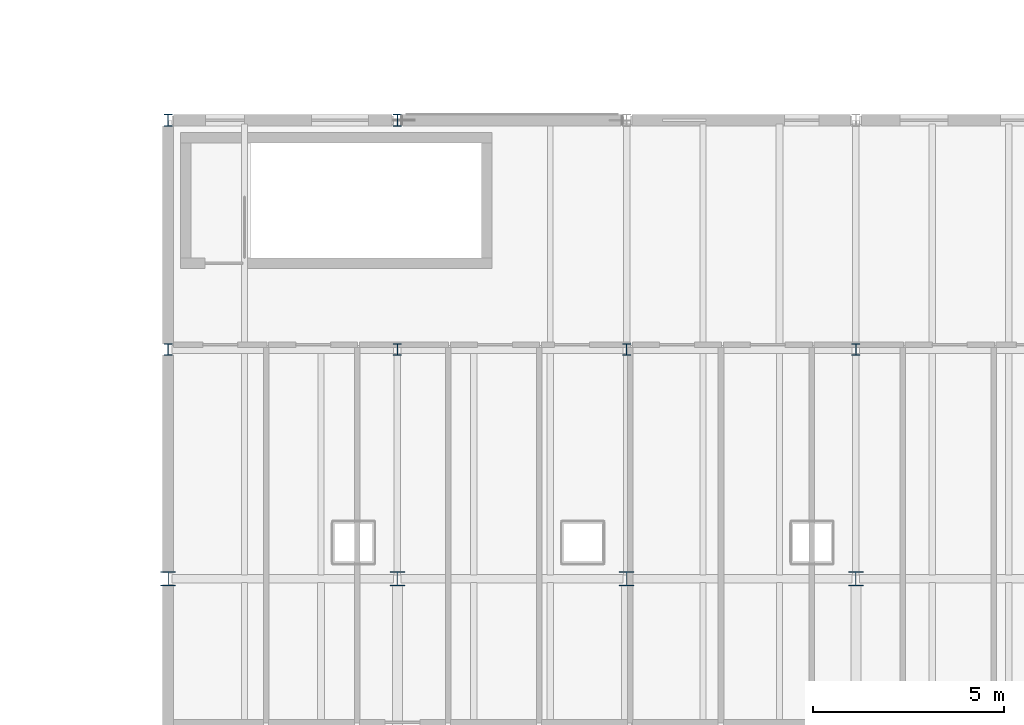
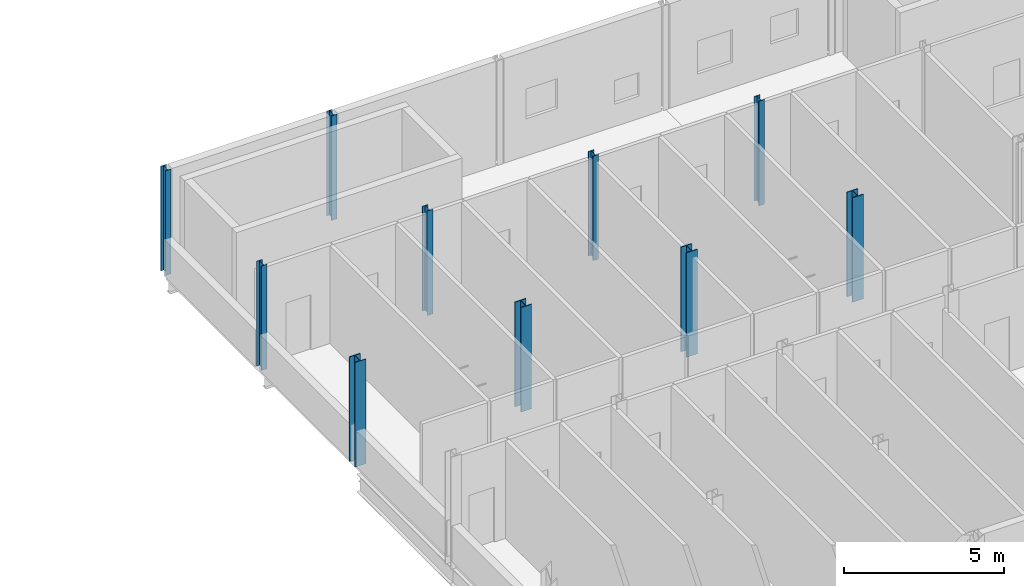
# One storey, part 2 of 45: 10 columns.
"""IFC4 building model written with IfcOpenShell, lengths in metres."""

from ifc_helpers import new_model, si_unit, direction, frame, origin, origin_2d, place, context, subcontext, project, spatial, i_section, extrude, material, material_profile, profile_set, type_object, element, save


model = new_model("IFC4")

# Units and contexts
model_context = context("Model", 3, precision=1e-05, world=origin(), true_north=direction((0.0, 1.0)))
body_context = subcontext(model_context, "Body", "Model", "MODEL_VIEW")
ifc_project = project(units=[si_unit("LENGTHUNIT", "METRE"), si_unit("AREAUNIT", "SQUARE_METRE"), si_unit("VOLUMEUNIT", "CUBIC_METRE"), si_unit("PLANEANGLEUNIT", "RADIAN"), si_unit("MASSUNIT", "GRAM", prefix="KILO")], contexts=[model_context])

# Site, building, storey
site_placement = place(None, origin())
site = spatial("IfcSite", under=ifc_project, at=site_placement, CompositionType="ELEMENT")
building_placement = place(site_placement, origin())
building = spatial("IfcBuilding", under=site, at=building_placement, Name="Siltcreek Boulevard Central Fire Station", CompositionType="ELEMENT")
storey_placement = place(building_placement, frame((0.0, 0.0, 10.0)))
storey = spatial("IfcBuildingStorey", under=building, at=storey_placement, Name="L03", CompositionType="ELEMENT", Elevation=10.0)

# Columns
ifc_material = material(Name="Structural steel ASTM A992 Gr50", Category="steel")
ifc_material_profile_1 = material_profile(ifc_material, i_section(OverallWidth=0.205078125, OverallDepth=0.31005859375, WebThickness=0.009521484375, FlangeThickness=0.016357421875, at=origin_2d()), Name="W310X74")
ifc_profile_set_1 = profile_set([ifc_material_profile_1], Name="Structural steel ASTM A992 Gr50")
column_type_1 = type_object("IfcColumnType", Name="COL_W310X74", PredefinedType="COLUMN", material=ifc_profile_set_1)
for number, where, z_axis, x_axis, name in (
    (1, (66.0, 48.0, 0.0), (0.0, 0.0, 1.0), (1.0, 0.0, 0.0), "L03 structural column COLG-L03-660-480"),
    (2, (66.0, 54.0, 0.0), (0.0, 0.0, 1.0), (1.0, 0.0, 0.0), "L03 structural column COLG-L03-660-540"),
    (3, (72.0, 48.0, 0.0), (0.0, 0.0, 1.0), (1.0, 0.0, 0.0), "L03 structural column COLG-L03-720-480"),
    (4, (72.0, 54.0, 0.0), (0.0, 0.0, 1.0), (1.0, 0.0, 0.0), "L03 structural column COLG-L03-720-540"),
    (5, (78.0, 48.0, 0.0), (0.0, 0.0, 1.0), (1.0, 0.0, 0.0), "L03 structural column COLG-L03-780-480"),
    (6, (84.0, 48.0, 0.0), (0.0, 0.0, 1.0), (1.0, 0.0, 0.0), "L03 structural column COLG-L03-840-480"),
):
    element("IfcColumn", number, at=place(storey_placement, frame(where, z_axis=z_axis, x_axis=x_axis)), inside=storey, type_object=column_type_1, Name=name, PredefinedType="COLUMN", context=body_context, shape_type="SweptSolid", body=[
        extrude(i_section(OverallWidth=0.205078125, OverallDepth=0.31005859375, WebThickness=0.009521484375, FlangeThickness=0.016357421875, at=origin_2d()), origin(), (0.0, 0.0, 1.0), 4.0),
    ])
ifc_material_profile_2 = material_profile(ifc_material, i_section(OverallWidth=0.39501953125, OverallDepth=0.3798828125, WebThickness=0.018798828125, FlangeThickness=0.0302734375, at=origin_2d()), Name="W360X237")
ifc_profile_set_2 = profile_set([ifc_material_profile_2], Name="Structural steel ASTM A992 Gr50")
column_type_2 = type_object("IfcColumnType", Name="COL_W360X237", PredefinedType="COLUMN", material=ifc_profile_set_2)
for number, where, z_axis, x_axis, name in (
    (7, (66.0, 42.0, 0.0), (0.0, 0.0, 1.0), (1.0, 0.0, 0.0), "L03 structural column COLG-L03-660-420"),
    (8, (72.0, 42.0, 0.0), (0.0, 0.0, 1.0), (1.0, 0.0, 0.0), "L03 structural column COLG-L03-720-420"),
    (9, (78.0, 42.0, 0.0), (0.0, 0.0, 1.0), (1.0, 0.0, 0.0), "L03 structural column COLG-L03-780-420"),
    (10, (84.0, 42.0, 0.0), (0.0, 0.0, 1.0), (1.0, 0.0, 0.0), "L03 structural column COLG-L03-840-420"),
):
    element("IfcColumn", number, at=place(storey_placement, frame(where, z_axis=z_axis, x_axis=x_axis)), inside=storey, type_object=column_type_2, Name=name, PredefinedType="COLUMN", context=body_context, shape_type="SweptSolid", body=[
        extrude(i_section(OverallWidth=0.39501953125, OverallDepth=0.3798828125, WebThickness=0.018798828125, FlangeThickness=0.0302734375, at=origin_2d()), origin(), (0.0, 0.0, 1.0), 4.0),
    ])

save(model, "model.ifc")
